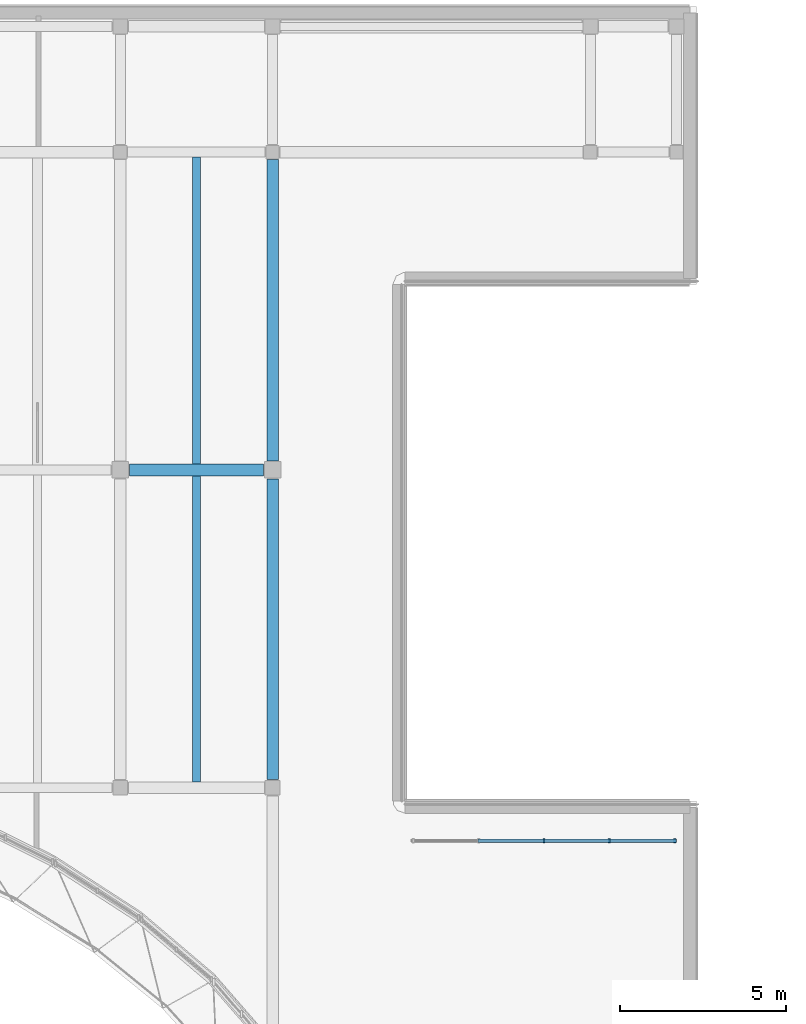
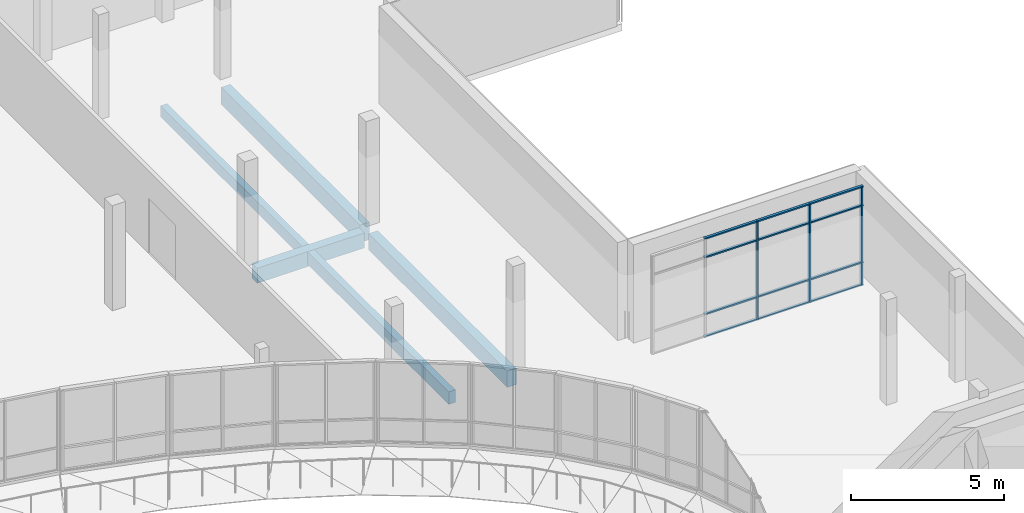
# One storey, part 27 of 73: 15 members, 5 beams, 1 element without a shape of its own.
"""IFC4 building model written with IfcOpenShell, lengths in metres."""

from ifc_helpers import new_model, si_unit, direction, frame, origin, origin_2d, place, context, subcontext, project, spatial, rectangle, extrude, material, material_profile, profile_set, type_object, element, aggregate, save


model = new_model("IFC4")

# Units and contexts
model_context = context("Model", 3, precision=1e-05, world=origin(), true_north=direction((0.0, 1.0)))
body_context = subcontext(model_context, "Body", "Model", "MODEL_VIEW")
ifc_project = project(units=[si_unit("LENGTHUNIT", "METRE"), si_unit("AREAUNIT", "SQUARE_METRE"), si_unit("VOLUMEUNIT", "CUBIC_METRE"), si_unit("PLANEANGLEUNIT", "RADIAN"), si_unit("MASSUNIT", "GRAM", prefix="KILO")], contexts=[model_context])

# Site, building, storey
site_placement = place(None, origin())
site = spatial("IfcSite", under=ifc_project, at=site_placement, CompositionType="ELEMENT")
building_placement = place(site_placement, origin())
building = spatial("IfcBuilding", under=site, at=building_placement, Name="Mzevani Central Library", CompositionType="ELEMENT")
storey_placement = place(building_placement, frame((0.0, 0.0, 9.60009765625)))
storey = spatial("IfcBuildingStorey", under=building, at=storey_placement, Name="L02", CompositionType="ELEMENT", Elevation=9.60009765625)

# Beams
ifc_material_1 = material(Name="Concrete C35/45", Category="concrete")
ifc_material_profile_1 = material_profile(ifc_material_1, rectangle(XDim=0.35009765625, YDim=0.60009765625, at=origin_2d()), Name="RC B350x600")
ifc_profile_set_1 = profile_set([ifc_material_profile_1], Name="Concrete C35/45")
beam_type_1 = type_object("IfcBeamType", Name="Beam RC 350x600", PredefinedType="BEAM", material=ifc_profile_set_1)
beam_1_placement = place(storey_placement, frame((107.675048828125, 100.0, -0.580078125), z_axis=(1.0, 0.0, 0.0), x_axis=(0.0, 1.0, 0.0)))
element("IfcBeam", 1, at=beam_1_placement, inside=storey, type_object=beam_type_1, Name="L02 V3 Girder B-04 (571)", PredefinedType="BEAM", context=body_context, shape_type="SweptSolid", body=[
    extrude(rectangle(XDim=0.35009765625, YDim=0.60009765625, at=origin_2d()), origin(), (0.0, 0.0, 1.0), 4.050048828125),
])
ifc_material_profile_2 = material_profile(ifc_material_1, rectangle(XDim=0.35009765625, YDim=0.64990234375, at=origin_2d()), Name="RC B350x650")
ifc_profile_set_2 = profile_set([ifc_material_profile_2], Name="Concrete C35/45")
beam_type_2 = type_object("IfcBeamType", Name="Beam RC 350x650", PredefinedType="BEAM", material=ifc_profile_set_2)
beam_2_placement = place(storey_placement, frame((112.0, 90.64990234375, -0.60498046875), z_axis=(0.0, 1.0, 0.0), x_axis=(-1.0, 0.0, 0.0)))
element("IfcBeam", 2, at=beam_2_placement, inside=storey, type_object=beam_type_2, Name="L02 V3 Frame Beam B-05 (612)", PredefinedType="BEAM", context=body_context, shape_type="SweptSolid", body=[
    extrude(rectangle(XDim=0.35009765625, YDim=0.64990234375, at=origin_2d()), origin(), (0.0, 0.0, 1.0), 9.0751953125),
])
ifc_material_profile_3 = material_profile(ifc_material_1, rectangle(XDim=0.35009765625, YDim=0.699951171875, at=origin_2d()), Name="RC B350x700")
ifc_profile_set_3 = profile_set([ifc_material_profile_3], Name="Concrete C35/45")
beam_type_3 = type_object("IfcBeamType", Name="Beam RC 350x700", PredefinedType="BEAM", material=ifc_profile_set_3)
beam_3_placement = place(storey_placement, frame((112.0, 100.27490234375, -0.630126953125), z_axis=(0.0, 1.0, 0.0), x_axis=(-1.0, 0.0, 0.0)))
element("IfcBeam", 3, at=beam_3_placement, inside=storey, type_object=beam_type_3, Name="L02 V3 Frame Beam B-06 (613)", PredefinedType="BEAM", context=body_context, shape_type="SweptSolid", body=[
    extrude(rectangle(XDim=0.35009765625, YDim=0.699951171875, at=origin_2d()), origin(), (0.0, 0.0, 1.0), 9.10009765625),
])

# Curtain wall, members
ifc_material_2 = material(Name="Thermally broken aluminium and Low-E triple glazing", Category="aluminium")
curtain_wall_type = type_object("IfcCurtainWallType", Name="Interior Atrium Acoustic Glazed Screen", PredefinedType="NOTDEFINED", material=ifc_material_2)
curtain_wall_placement = place(storey_placement, origin())
curtain_wall = element("IfcCurtainWall", 4, at=curtain_wall_placement, inside=storey, type_object=curtain_wall_type, Name="L02 Atrium Acoustic Overlook Screen 6", PredefinedType="NOTDEFINED")
ifc_material_3 = material(Name="Thermally broken aluminium AW-6060", Category="aluminium")
ifc_material_profile_4 = material_profile(ifc_material_3, rectangle(XDim=0.054931640625, YDim=0.1298828125, at=origin_2d()), Name="ALU M55x130")
ifc_profile_set_4 = profile_set([ifc_material_profile_4], Name="Thermally broken aluminium AW-6060")
member_type_1 = type_object("IfcMemberType", Name="CW Interior Mullion 55x130", PredefinedType="MULLION", material=ifc_profile_set_4)
member_1_placement = place(storey_placement, frame((120.199951171875, 88.800048828125, 0.0), z_axis=(0.0, 0.0, 1.0), x_axis=(1.0, 0.0, 0.0)))
member_1 = element("IfcMember", 5, at=member_1_placement, type_object=member_type_1, Name="L02 Atrium Acoustic Overlook Screen 6 Mullion 3", PredefinedType="MULLION", context=body_context, shape_type="SweptSolid", body=[
    extrude(rectangle(XDim=0.054931640625, YDim=0.1298828125, at=origin_2d()), origin(), (0.0, 0.0, 1.0), 3.919921875),
])
member_2_placement = place(storey_placement, frame((122.175048828125, 88.800048828125, 0.0), z_axis=(0.0, 0.0, 1.0), x_axis=(1.0, 0.0, 0.0)))
member_2 = element("IfcMember", 6, at=member_2_placement, type_object=member_type_1, Name="L02 Atrium Acoustic Overlook Screen 6 Mullion 4", PredefinedType="MULLION", context=body_context, shape_type="SweptSolid", body=[
    extrude(rectangle(XDim=0.054931640625, YDim=0.1298828125, at=origin_2d()), origin(), (0.0, 0.0, 1.0), 3.919921875),
])
member_3_placement = place(storey_placement, frame((124.14990234375, 88.800048828125, 0.0), z_axis=(0.0, 0.0, 1.0), x_axis=(1.0, 0.0, 0.0)))
member_3 = element("IfcMember", 7, at=member_3_placement, type_object=member_type_1, Name="L02 Atrium Acoustic Overlook Screen 6 Mullion 5", PredefinedType="MULLION", context=body_context, shape_type="SweptSolid", body=[
    extrude(rectangle(XDim=0.054931640625, YDim=0.1298828125, at=origin_2d()), origin(), (0.0, 0.0, 1.0), 3.919921875),
])
ifc_material_profile_5 = material_profile(ifc_material_3, rectangle(XDim=0.10009765625, YDim=0.054931640625, at=origin_2d()), Name="ALU T55x100")
ifc_profile_set_5 = profile_set([ifc_material_profile_5], Name="Thermally broken aluminium AW-6060")
member_type_2 = type_object("IfcMemberType", Name="CW Interior Transom 55x100", PredefinedType="USERDEFINED", material=ifc_profile_set_5)
member_4_placement = place(storey_placement, frame((118.199951171875, 88.800048828125, 0.0), z_axis=(1.0, 0.0, 0.0), x_axis=(0.0, 1.0, 0.0)))
member_4 = element("IfcMember", 8, at=member_4_placement, type_object=member_type_2, Name="L02 Atrium Acoustic Overlook Screen 6 Transom 5", ObjectType="TRANSOM", PredefinedType="USERDEFINED", context=body_context, shape_type="SweptSolid", body=[
    extrude(rectangle(XDim=0.10009765625, YDim=0.054931640625, at=origin_2d()), origin(), (0.0, 0.0, 1.0), 2.0),
])
member_5_placement = place(storey_placement, frame((118.199951171875, 88.800048828125, 0.89990234375), z_axis=(1.0, 0.0, 0.0), x_axis=(0.0, 1.0, 0.0)))
member_5 = element("IfcMember", 9, at=member_5_placement, type_object=member_type_2, Name="L02 Atrium Acoustic Overlook Screen 6 Transom 6", ObjectType="TRANSOM", PredefinedType="USERDEFINED", context=body_context, shape_type="SweptSolid", body=[
    extrude(rectangle(XDim=0.10009765625, YDim=0.054931640625, at=origin_2d()), origin(), (0.0, 0.0, 1.0), 2.0),
])
member_6_placement = place(storey_placement, frame((118.199951171875, 88.800048828125, 3.169921875), z_axis=(1.0, 0.0, 0.0), x_axis=(0.0, 1.0, 0.0)))
member_6 = element("IfcMember", 10, at=member_6_placement, type_object=member_type_2, Name="L02 Atrium Acoustic Overlook Screen 6 Transom 7", ObjectType="TRANSOM", PredefinedType="USERDEFINED", context=body_context, shape_type="SweptSolid", body=[
    extrude(rectangle(XDim=0.10009765625, YDim=0.054931640625, at=origin_2d()), origin(), (0.0, 0.0, 1.0), 2.0),
])
member_7_placement = place(storey_placement, frame((118.199951171875, 88.800048828125, 3.919921875), z_axis=(1.0, 0.0, 0.0), x_axis=(0.0, 1.0, 0.0)))
member_7 = element("IfcMember", 11, at=member_7_placement, type_object=member_type_2, Name="L02 Atrium Acoustic Overlook Screen 6 Transom 8", ObjectType="TRANSOM", PredefinedType="USERDEFINED", context=body_context, shape_type="SweptSolid", body=[
    extrude(rectangle(XDim=0.10009765625, YDim=0.054931640625, at=origin_2d()), origin(), (0.0, 0.0, 1.0), 2.0),
])
member_8_placement = place(storey_placement, frame((120.199951171875, 88.800048828125, 0.0), z_axis=(1.0, 0.0, 0.0), x_axis=(0.0, 1.0, 0.0)))
member_8 = element("IfcMember", 12, at=member_8_placement, type_object=member_type_2, Name="L02 Atrium Acoustic Overlook Screen 6 Transom 9", ObjectType="TRANSOM", PredefinedType="USERDEFINED", context=body_context, shape_type="SweptSolid", body=[
    extrude(rectangle(XDim=0.10009765625, YDim=0.054931640625, at=origin_2d()), origin(), (0.0, 0.0, 1.0), 2.0),
])
member_9_placement = place(storey_placement, frame((120.199951171875, 88.800048828125, 0.89990234375), z_axis=(1.0, 0.0, 0.0), x_axis=(0.0, 1.0, 0.0)))
member_9 = element("IfcMember", 13, at=member_9_placement, type_object=member_type_2, Name="L02 Atrium Acoustic Overlook Screen 6 Transom 10", ObjectType="TRANSOM", PredefinedType="USERDEFINED", context=body_context, shape_type="SweptSolid", body=[
    extrude(rectangle(XDim=0.10009765625, YDim=0.054931640625, at=origin_2d()), origin(), (0.0, 0.0, 1.0), 2.0),
])
member_10_placement = place(storey_placement, frame((120.199951171875, 88.800048828125, 3.169921875), z_axis=(1.0, 0.0, 0.0), x_axis=(0.0, 1.0, 0.0)))
member_10 = element("IfcMember", 14, at=member_10_placement, type_object=member_type_2, Name="L02 Atrium Acoustic Overlook Screen 6 Transom 11", ObjectType="TRANSOM", PredefinedType="USERDEFINED", context=body_context, shape_type="SweptSolid", body=[
    extrude(rectangle(XDim=0.10009765625, YDim=0.054931640625, at=origin_2d()), origin(), (0.0, 0.0, 1.0), 2.0),
])
member_11_placement = place(storey_placement, frame((120.199951171875, 88.800048828125, 3.919921875), z_axis=(1.0, 0.0, 0.0), x_axis=(0.0, 1.0, 0.0)))
member_11 = element("IfcMember", 15, at=member_11_placement, type_object=member_type_2, Name="L02 Atrium Acoustic Overlook Screen 6 Transom 12", ObjectType="TRANSOM", PredefinedType="USERDEFINED", context=body_context, shape_type="SweptSolid", body=[
    extrude(rectangle(XDim=0.10009765625, YDim=0.054931640625, at=origin_2d()), origin(), (0.0, 0.0, 1.0), 2.0),
])
member_12_placement = place(storey_placement, frame((122.199951171875, 88.800048828125, 0.0), z_axis=(1.0, 0.0, 0.0), x_axis=(0.0, 1.0, 0.0)))
member_12 = element("IfcMember", 16, at=member_12_placement, type_object=member_type_2, Name="L02 Atrium Acoustic Overlook Screen 6 Transom 13", ObjectType="TRANSOM", PredefinedType="USERDEFINED", context=body_context, shape_type="SweptSolid", body=[
    extrude(rectangle(XDim=0.10009765625, YDim=0.054931640625, at=origin_2d()), origin(), (0.0, 0.0, 1.0), 2.0),
])
member_13_placement = place(storey_placement, frame((122.199951171875, 88.800048828125, 0.89990234375), z_axis=(1.0, 0.0, 0.0), x_axis=(0.0, 1.0, 0.0)))
member_13 = element("IfcMember", 17, at=member_13_placement, type_object=member_type_2, Name="L02 Atrium Acoustic Overlook Screen 6 Transom 14", ObjectType="TRANSOM", PredefinedType="USERDEFINED", context=body_context, shape_type="SweptSolid", body=[
    extrude(rectangle(XDim=0.10009765625, YDim=0.054931640625, at=origin_2d()), origin(), (0.0, 0.0, 1.0), 2.0),
])
member_14_placement = place(storey_placement, frame((122.199951171875, 88.800048828125, 3.169921875), z_axis=(1.0, 0.0, 0.0), x_axis=(0.0, 1.0, 0.0)))
member_14 = element("IfcMember", 18, at=member_14_placement, type_object=member_type_2, Name="L02 Atrium Acoustic Overlook Screen 6 Transom 15", ObjectType="TRANSOM", PredefinedType="USERDEFINED", context=body_context, shape_type="SweptSolid", body=[
    extrude(rectangle(XDim=0.10009765625, YDim=0.054931640625, at=origin_2d()), origin(), (0.0, 0.0, 1.0), 2.0),
])
member_15_placement = place(storey_placement, frame((122.199951171875, 88.800048828125, 3.919921875), z_axis=(1.0, 0.0, 0.0), x_axis=(0.0, 1.0, 0.0)))
member_15 = element("IfcMember", 19, at=member_15_placement, type_object=member_type_2, Name="L02 Atrium Acoustic Overlook Screen 6 Transom 16", ObjectType="TRANSOM", PredefinedType="USERDEFINED", context=body_context, shape_type="SweptSolid", body=[
    extrude(rectangle(XDim=0.10009765625, YDim=0.054931640625, at=origin_2d()), origin(), (0.0, 0.0, 1.0), 2.0),
])
aggregate(curtain_wall, [member_1, member_2, member_3, member_4, member_5, member_6, member_7, member_8, member_9, member_10, member_11, member_12, member_13, member_14, member_15])

# Beams
ifc_material_profile_6 = material_profile(ifc_material_1, rectangle(XDim=0.25, YDim=0.449951171875, at=origin_2d()), Name="RC J250x450")
ifc_profile_set_6 = profile_set([ifc_material_profile_6], Name="Concrete C35/45")
beam_type_4 = type_object("IfcBeamType", Name="Floor Joist RC 250x450", PredefinedType="JOIST", material=ifc_profile_set_6)
beam_4_placement = place(storey_placement, frame((109.699951171875, 100.175048828125, -0.505126953125), z_axis=(0.0, 1.0, 0.0), x_axis=(-1.0, 0.0, 0.0)))
element("IfcBeam", 20, at=beam_4_placement, inside=storey, type_object=beam_type_4, Name="L02 V3 Floor Joist BJ-01 (630)", PredefinedType="JOIST", context=body_context, shape_type="SweptSolid", body=[
    extrude(rectangle(XDim=0.25, YDim=0.449951171875, at=origin_2d()), origin(), (0.0, 0.0, 1.0), 9.27490234375),
])
ifc_material_profile_7 = material_profile(ifc_material_1, rectangle(XDim=0.25, YDim=0.5, at=origin_2d()), Name="RC J250x500")
ifc_profile_set_7 = profile_set([ifc_material_profile_7], Name="Concrete C35/45")
beam_type_5 = type_object("IfcBeamType", Name="Floor Joist RC 250x500", PredefinedType="JOIST", material=ifc_profile_set_7)
beam_5_placement = place(storey_placement, frame((109.699951171875, 90.574951171875, -0.530029296875), z_axis=(0.0, 1.0, 0.0), x_axis=(-1.0, 0.0, 0.0)))
element("IfcBeam", 21, at=beam_5_placement, inside=storey, type_object=beam_type_5, Name="L02 V3 Floor Joist BJ-02 (625)", PredefinedType="JOIST", context=body_context, shape_type="SweptSolid", body=[
    extrude(rectangle(XDim=0.25, YDim=0.5, at=origin_2d()), origin(), (0.0, 0.0, 1.0), 9.25),
])

save(model, "model.ifc")
